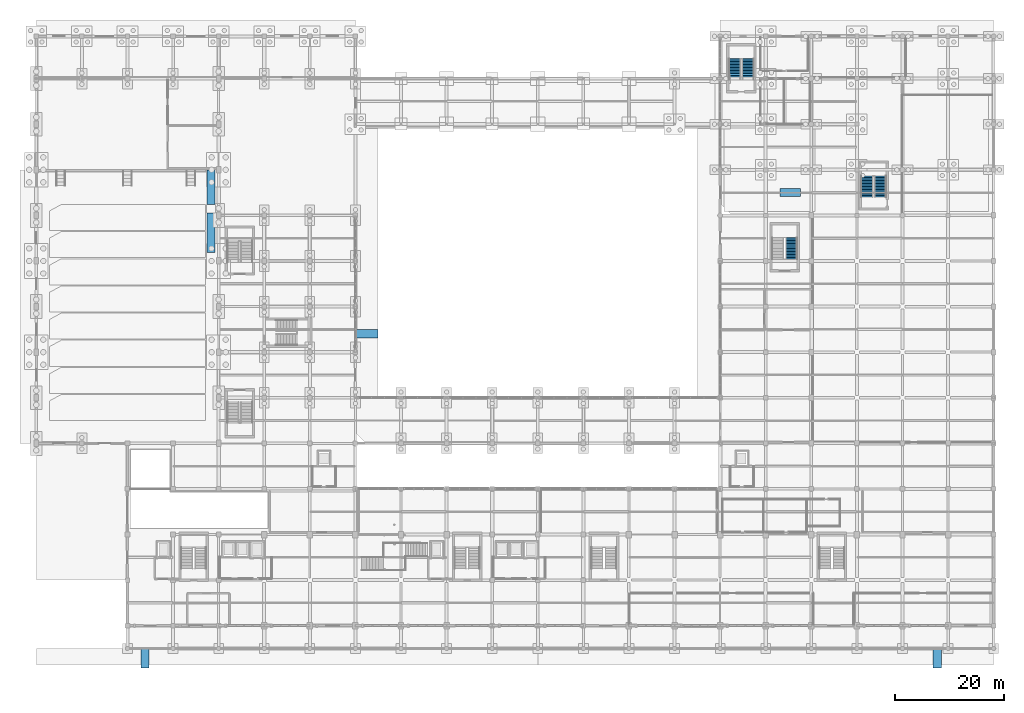
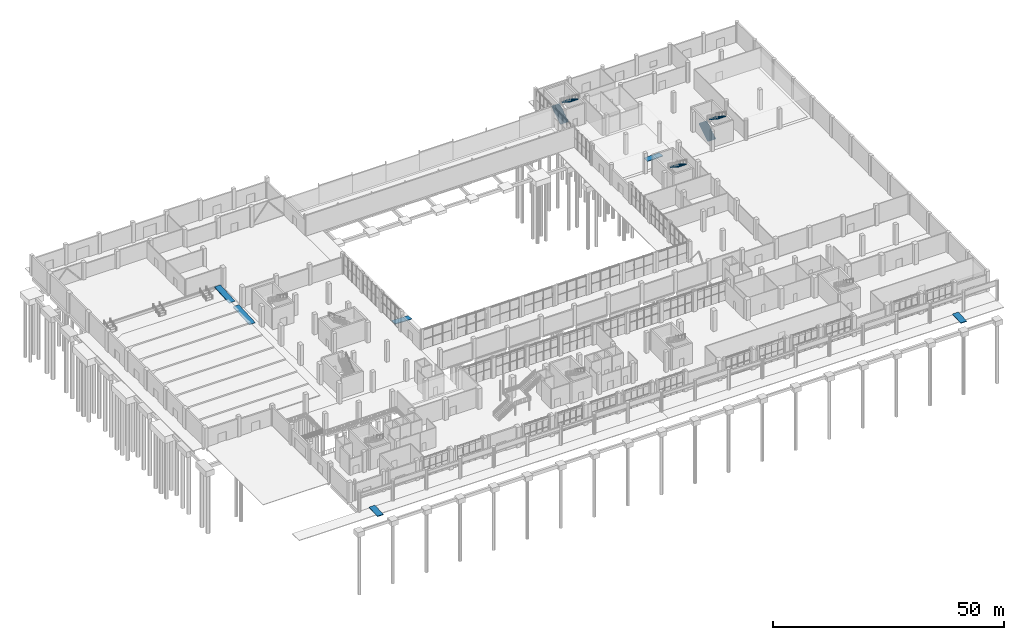
# One storey, part 75 of 82: 6 ramp flights, 5 stair flights, 8 elements without a shape of their own.
"""IFC4 building model written with IfcOpenShell, lengths in metres."""

from ifc_helpers import new_model, si_unit, derived_unit, direction, frame, origin, place, context, subcontext, project, spatial, polyline, outline, extrude, material, type_object, element, aggregate, save


model = new_model("IFC4")

# Units and contexts
model_context = context("Model", 3, precision=1e-05, world=origin(), true_north=direction((0.0, 1.0)))
body_context = subcontext(model_context, "Body", "Model", "MODEL_VIEW")
ifc_project = project(units=[si_unit("LENGTHUNIT", "METRE"), si_unit("AREAUNIT", "SQUARE_METRE"), si_unit("VOLUMEUNIT", "CUBIC_METRE"), si_unit("PLANEANGLEUNIT", "RADIAN"), si_unit("MASSUNIT", "GRAM", prefix="KILO"), derived_unit("THERMALTRANSMITTANCEUNIT", [(si_unit("POWERUNIT", "WATT"), 1), (si_unit("LENGTHUNIT", "METRE"), -2), (si_unit("THERMODYNAMICTEMPERATUREUNIT", "KELVIN"), -1)])], contexts=[model_context])

# Site, building, storey
site_placement = place(None, origin())
site = spatial("IfcSite", under=ifc_project, at=site_placement, CompositionType="ELEMENT")
building_placement = place(site_placement, origin())
building = spatial("IfcBuilding", under=site, at=building_placement, Name="Barrovel Congress Hotel", CompositionType="ELEMENT")
storey_placement = place(building_placement, origin())
storey = spatial("IfcBuildingStorey", under=building, at=storey_placement, Name="L00", CompositionType="ELEMENT", Elevation=0.0)

# Stair, stair flights
ifc_material_1 = material(Name="Concrete C40", Category="concrete")
stair_type = type_object("IfcStairType", Name="STR-2Q-540", PredefinedType="TWO_QUARTER_TURN_STAIR", material=ifc_material_1)
stair_1_placement = place(storey_placement, origin())
stair_1 = element("IfcStair", 1, at=stair_1_placement, inside=storey, type_object=stair_type, Name="Exit Stair XS-06 (L00)", PredefinedType="TWO_QUARTER_TURN_STAIR")
stair_flight_type = type_object("IfcStairFlightType", Name="SFL-200x270", PredefinedType="STRAIGHT", material=ifc_material_1)
stair_flight_1_placement = place(storey_placement, frame((153.06005859375, 83.179931640625, 0.0), z_axis=(0.0, 0.0, 1.0), x_axis=(0.0, 1.0, 0.0)))
stair_flight_1 = element("IfcStairFlight", 2, at=stair_flight_1_placement, type_object=stair_flight_type, Name="STAIR:XS-06:L00:F1", NumberOfRisers=15, NumberOfTreads=14, PredefinedType="STRAIGHT", RiserHeight=0.18, TreadLength=0.28, context=body_context, shape_type="SweptSolid", body=[
    extrude(outline(polyline([(0.0, 0.0), (0.0, 0.179931640625), (0.280029296875, 0.179931640625), (0.280029296875, 0.360107421875), (0.56005859375, 0.360107421875), (0.56005859375, 0.5400390625), (0.840087890625, 0.5400390625), (0.840087890625, 0.719970703125), (1.1201171875, 0.719970703125), (1.1201171875, 0.89990234375), (1.39990234375, 0.89990234375), (1.39990234375, 1.080078125), (1.679931640625, 1.080078125), (1.679931640625, 1.260009765625), (1.9599609375, 1.260009765625), (1.9599609375, 1.43994140625), (2.239990234375, 1.43994140625), (2.239990234375, 1.6201171875), (2.52001953125, 1.6201171875), (2.52001953125, 1.800048828125), (2.800048828125, 1.800048828125), (2.800048828125, 1.97998046875), (3.080078125, 1.97998046875), (3.080078125, 2.159912109375), (3.360107421875, 2.159912109375), (3.360107421875, 2.340087890625), (3.639892578125, 2.340087890625), (3.639892578125, 2.52001953125), (3.919921875, 2.52001953125), (3.919921875, 2.699951171875), (3.919921875, 2.30615234375), (0.332763671875, 0.0), (0.0, 0.0)])), frame((0.0, 1.0, 0.0), z_axis=(0.0, -1.0, 0.0), x_axis=(1.0, 0.0, 0.0)), (0.0, 0.0, 1.0), 2.0),
])
stair_flight_2_placement = place(storey_placement, frame((155.5400390625, 87.10009765625, 2.699951171875), z_axis=(0.0, 0.0, 1.0), x_axis=(0.0, -1.0, 0.0)))
stair_flight_2 = element("IfcStairFlight", 3, at=stair_flight_2_placement, type_object=stair_flight_type, Name="STAIR:XS-06:L00:F2", NumberOfRisers=15, NumberOfTreads=14, PredefinedType="STRAIGHT", RiserHeight=0.18, TreadLength=0.28, context=body_context, shape_type="SweptSolid", body=[
    extrude(outline(polyline([(0.0, 0.0), (0.0, 0.179931640625), (0.280029296875, 0.179931640625), (0.280029296875, 0.360107421875), (0.56005859375, 0.360107421875), (0.56005859375, 0.5400390625), (0.840087890625, 0.5400390625), (0.840087890625, 0.719970703125), (1.1201171875, 0.719970703125), (1.1201171875, 0.89990234375), (1.39990234375, 0.89990234375), (1.39990234375, 1.080078125), (1.679931640625, 1.080078125), (1.679931640625, 1.260009765625), (1.9599609375, 1.260009765625), (1.9599609375, 1.43994140625), (2.239990234375, 1.43994140625), (2.239990234375, 1.6201171875), (2.52001953125, 1.6201171875), (2.52001953125, 1.800048828125), (2.800048828125, 1.800048828125), (2.800048828125, 1.97998046875), (3.080078125, 1.97998046875), (3.080078125, 2.159912109375), (3.360107421875, 2.159912109375), (3.360107421875, 2.340087890625), (3.639892578125, 2.340087890625), (3.639892578125, 2.52001953125), (3.919921875, 2.52001953125), (3.919921875, 2.699951171875), (3.919921875, 2.30615234375), (0.332763671875, 0.0), (0.0, 0.0)])), frame((0.0, 1.0, 0.0), z_axis=(0.0, -1.0, 0.0), x_axis=(1.0, 0.0, 0.0)), (0.0, 0.0, 1.0), 2.0),
])
aggregate(stair_1, [stair_flight_1, stair_flight_2])

# Stair, stair flight
stair_2_placement = place(storey_placement, origin())
stair_2 = element("IfcStair", 4, at=stair_2_placement, inside=storey, type_object=stair_type, Name="Exit Stair XS-09 (L00)", PredefinedType="TWO_QUARTER_TURN_STAIR")
stair_flight_3_placement = place(storey_placement, frame((139.139892578125, 75.699951171875, 2.699951171875), z_axis=(0.0, 0.0, 1.0), x_axis=(0.0, -1.0, 0.0)))
stair_flight_3 = element("IfcStairFlight", 5, at=stair_flight_3_placement, type_object=stair_flight_type, Name="STAIR:XS-09:L00:F2", NumberOfRisers=15, NumberOfTreads=14, PredefinedType="STRAIGHT", RiserHeight=0.18, TreadLength=0.28, context=body_context, shape_type="SweptSolid", body=[
    extrude(outline(polyline([(0.0, 0.0), (0.0, 0.179931640625), (0.280029296875, 0.179931640625), (0.280029296875, 0.360107421875), (0.56005859375, 0.360107421875), (0.56005859375, 0.5400390625), (0.840087890625, 0.5400390625), (0.840087890625, 0.719970703125), (1.1201171875, 0.719970703125), (1.1201171875, 0.89990234375), (1.39990234375, 0.89990234375), (1.39990234375, 1.080078125), (1.679931640625, 1.080078125), (1.679931640625, 1.260009765625), (1.9599609375, 1.260009765625), (1.9599609375, 1.43994140625), (2.239990234375, 1.43994140625), (2.239990234375, 1.6201171875), (2.52001953125, 1.6201171875), (2.52001953125, 1.800048828125), (2.800048828125, 1.800048828125), (2.800048828125, 1.97998046875), (3.080078125, 1.97998046875), (3.080078125, 2.159912109375), (3.360107421875, 2.159912109375), (3.360107421875, 2.340087890625), (3.639892578125, 2.340087890625), (3.639892578125, 2.52001953125), (3.919921875, 2.52001953125), (3.919921875, 2.699951171875), (3.919921875, 2.30615234375), (0.332763671875, 0.0), (0.0, 0.0)])), frame((0.0, 1.0, 0.0), z_axis=(0.0, -1.0, 0.0), x_axis=(1.0, 0.0, 0.0)), (0.0, 0.0, 1.0), 2.0),
])
aggregate(stair_2, [stair_flight_3])

# Stair, stair flights
stair_3_placement = place(storey_placement, origin())
stair_3 = element("IfcStair", 6, at=stair_3_placement, inside=storey, type_object=stair_type, Name="Exit Stair XS-10 (L00)", PredefinedType="TWO_QUARTER_TURN_STAIR")
stair_flight_4_placement = place(storey_placement, frame((128.659912109375, 104.780029296875, 0.0), z_axis=(0.0, 0.0, 1.0), x_axis=(0.0, 1.0, 0.0)))
stair_flight_4 = element("IfcStairFlight", 7, at=stair_flight_4_placement, type_object=stair_flight_type, Name="STAIR:XS-10:L00:F1", NumberOfRisers=15, NumberOfTreads=14, PredefinedType="STRAIGHT", RiserHeight=0.18, TreadLength=0.28, context=body_context, shape_type="SweptSolid", body=[
    extrude(outline(polyline([(0.0, 0.0), (0.0, 0.179931640625), (0.280029296875, 0.179931640625), (0.280029296875, 0.360107421875), (0.56005859375, 0.360107421875), (0.56005859375, 0.5400390625), (0.840087890625, 0.5400390625), (0.840087890625, 0.719970703125), (1.1201171875, 0.719970703125), (1.1201171875, 0.89990234375), (1.39990234375, 0.89990234375), (1.39990234375, 1.080078125), (1.679931640625, 1.080078125), (1.679931640625, 1.260009765625), (1.9599609375, 1.260009765625), (1.9599609375, 1.43994140625), (2.239990234375, 1.43994140625), (2.239990234375, 1.6201171875), (2.52001953125, 1.6201171875), (2.52001953125, 1.800048828125), (2.800048828125, 1.800048828125), (2.800048828125, 1.97998046875), (3.080078125, 1.97998046875), (3.080078125, 2.159912109375), (3.360107421875, 2.159912109375), (3.360107421875, 2.340087890625), (3.639892578125, 2.340087890625), (3.639892578125, 2.52001953125), (3.919921875, 2.52001953125), (3.919921875, 2.699951171875), (3.919921875, 2.30615234375), (0.332763671875, 0.0), (0.0, 0.0)])), frame((0.0, 1.0, 0.0), z_axis=(0.0, -1.0, 0.0), x_axis=(1.0, 0.0, 0.0)), (0.0, 0.0, 1.0), 2.0),
])
stair_flight_5_placement = place(storey_placement, frame((131.139892578125, 108.699951171875, 2.699951171875), z_axis=(0.0, 0.0, 1.0), x_axis=(0.0, -1.0, 0.0)))
stair_flight_5 = element("IfcStairFlight", 8, at=stair_flight_5_placement, type_object=stair_flight_type, Name="STAIR:XS-10:L00:F2", NumberOfRisers=15, NumberOfTreads=14, PredefinedType="STRAIGHT", RiserHeight=0.18, TreadLength=0.28, context=body_context, shape_type="SweptSolid", body=[
    extrude(outline(polyline([(0.0, 0.0), (0.0, 0.179931640625), (0.280029296875, 0.179931640625), (0.280029296875, 0.360107421875), (0.56005859375, 0.360107421875), (0.56005859375, 0.5400390625), (0.840087890625, 0.5400390625), (0.840087890625, 0.719970703125), (1.1201171875, 0.719970703125), (1.1201171875, 0.89990234375), (1.39990234375, 0.89990234375), (1.39990234375, 1.080078125), (1.679931640625, 1.080078125), (1.679931640625, 1.260009765625), (1.9599609375, 1.260009765625), (1.9599609375, 1.43994140625), (2.239990234375, 1.43994140625), (2.239990234375, 1.6201171875), (2.52001953125, 1.6201171875), (2.52001953125, 1.800048828125), (2.800048828125, 1.800048828125), (2.800048828125, 1.97998046875), (3.080078125, 1.97998046875), (3.080078125, 2.159912109375), (3.360107421875, 2.159912109375), (3.360107421875, 2.340087890625), (3.639892578125, 2.340087890625), (3.639892578125, 2.52001953125), (3.919921875, 2.52001953125), (3.919921875, 2.699951171875), (3.919921875, 2.30615234375), (0.332763671875, 0.0), (0.0, 0.0)])), frame((0.0, 1.0, 0.0), z_axis=(0.0, -1.0, 0.0), x_axis=(1.0, 0.0, 0.0)), (0.0, 0.0, 1.0), 2.0),
])
aggregate(stair_3, [stair_flight_4, stair_flight_5])

# Ramp, ramp flights
ifc_material_2 = material(Name="Concrete C35", Category="concrete")
ramp_type = type_object("IfcRampType", Name="RAMP-ACC", PredefinedType="STRAIGHT_RUN_RAMP", material=ifc_material_2)
ramp_1_placement = place(storey_placement, origin())
ramp_1 = element("IfcRamp", 9, at=ramp_1_placement, inside=storey, type_object=ramp_type, Name="Congress Stage Accessible Ramp", PredefinedType="STRAIGHT_RUN_RAMP")
ramp_flight_type = type_object("IfcRampFlightType", Name="RFLIGHT-ACC", PredefinedType="STRAIGHT", material=ifc_material_2)
ramp_flight_1_placement = place(storey_placement, frame((32.199951171875, 73.0, -0.179931640625), z_axis=(0.0, 0.0, 1.0), x_axis=(0.0, 1.0, 0.0)))
ramp_flight_1 = element("IfcRampFlight", 10, at=ramp_flight_1_placement, type_object=ramp_flight_type, Name="Congress Stage Accessible Ramp flight 1", PredefinedType="STRAIGHT", context=body_context, shape_type="SweptSolid", body=[
    extrude(outline(polyline([(0.0, 0.0), (0.0, 0.179931640625), (7.199951171875, 0.579833984375), (7.199951171875, 0.39990234375), (0.0, 0.0)])), frame((0.0, 0.75, 0.0), z_axis=(0.0, -1.0, 0.0), x_axis=(1.0, 0.0, 0.0)), (0.0, 0.0, 1.0), 1.5),
])
ramp_flight_2_placement = place(storey_placement, frame((32.199951171875, 81.800048828125, 0.219970703125), z_axis=(0.0, 0.0, 1.0), x_axis=(0.0, 1.0, 0.0)))
ramp_flight_2 = element("IfcRampFlight", 11, at=ramp_flight_2_placement, type_object=ramp_flight_type, Name="Congress Stage Accessible Ramp flight 2", PredefinedType="STRAIGHT", context=body_context, shape_type="SweptSolid", body=[
    extrude(outline(polyline([(0.0, 0.0), (0.0, 0.179931640625), (6.39990234375, 0.579833984375), (6.39990234375, 0.39990234375), (0.0, 0.0)])), frame((0.0, 0.75, 0.0), z_axis=(0.0, -1.0, 0.0), x_axis=(1.0, 0.0, 0.0)), (0.0, 0.0, 1.0), 1.5),
])
aggregate(ramp_1, [ramp_flight_1, ramp_flight_2])

# Ramp, ramp flight
ramp_2_placement = place(storey_placement, origin())
ramp_2 = element("IfcRamp", 12, at=ramp_2_placement, inside=storey, type_object=ramp_type, Name="South Plaza Accessible Entrance Ramp", PredefinedType="STRAIGHT_RUN_RAMP")
ramp_flight_3_placement = place(storey_placement, frame((20.0, -3.60009765625, -0.14990234375), z_axis=(0.0, 0.0, 1.0), x_axis=(0.0, 1.0, 0.0)))
ramp_flight_3 = element("IfcRampFlight", 13, at=ramp_flight_3_placement, type_object=ramp_flight_type, Name="South Plaza Accessible Entrance Ramp flight 1", PredefinedType="STRAIGHT", context=body_context, shape_type="SweptSolid", body=[
    extrude(outline(polyline([(0.0, 0.0), (0.0, 0.179931640625), (3.699951171875, 0.329833984375), (3.699951171875, 0.14990234375), (0.0, 0.0)])), frame((0.0, 0.75, 0.0), z_axis=(0.0, -1.0, 0.0), x_axis=(1.0, 0.0, 0.0)), (0.0, 0.0, 1.0), 1.5),
])
aggregate(ramp_2, [ramp_flight_3])

ramp_3_placement = place(storey_placement, origin())
ramp_3 = element("IfcRamp", 14, at=ramp_3_placement, inside=storey, type_object=ramp_type, Name="East Arcade Accessible Entrance Ramp", PredefinedType="STRAIGHT_RUN_RAMP")
ramp_flight_4_placement = place(storey_placement, frame((166.0, -3.60009765625, -0.14990234375), z_axis=(0.0, 0.0, 1.0), x_axis=(0.0, 1.0, 0.0)))
ramp_flight_4 = element("IfcRampFlight", 15, at=ramp_flight_4_placement, type_object=ramp_flight_type, Name="East Arcade Accessible Entrance Ramp flight 1", PredefinedType="STRAIGHT", context=body_context, shape_type="SweptSolid", body=[
    extrude(outline(polyline([(0.0, 0.0), (0.0, 0.179931640625), (3.699951171875, 0.329833984375), (3.699951171875, 0.14990234375), (0.0, 0.0)])), frame((0.0, 0.75, 0.0), z_axis=(0.0, -1.0, 0.0), x_axis=(1.0, 0.0, 0.0)), (0.0, 0.0, 1.0), 1.5),
])
aggregate(ramp_3, [ramp_flight_4])

ramp_4_placement = place(storey_placement, origin())
ramp_4 = element("IfcRamp", 16, at=ramp_4_placement, inside=storey, type_object=ramp_type, Name="Cloister Court Accessible Ramp", PredefinedType="STRAIGHT_RUN_RAMP")
ramp_flight_5_placement = place(storey_placement, frame((63.0, 58.0, -0.14990234375), z_axis=(0.0, 0.0, 1.0), x_axis=(-1.0, 0.0, 0.0)))
ramp_flight_5 = element("IfcRampFlight", 17, at=ramp_flight_5_placement, type_object=ramp_flight_type, Name="Cloister Court Accessible Ramp flight 1", PredefinedType="STRAIGHT", context=body_context, shape_type="SweptSolid", body=[
    extrude(outline(polyline([(0.0, 0.0), (0.0, 0.179931640625), (4.199951171875, 0.329833984375), (4.199951171875, 0.14990234375), (0.0, 0.0)])), frame((0.0, 0.75, 0.0), z_axis=(0.0, -1.0, 0.0), x_axis=(1.0, 0.0, 0.0)), (0.0, 0.0, 1.0), 1.5),
])
aggregate(ramp_4, [ramp_flight_5])

ramp_5_placement = place(storey_placement, origin())
ramp_5 = element("IfcRamp", 18, at=ramp_5_placement, inside=storey, type_object=ramp_type, Name="Spa Pool Hall Accessible Ramp", PredefinedType="STRAIGHT_RUN_RAMP")
ramp_flight_6_placement = place(storey_placement, frame((137.0, 84.0, -0.14990234375), z_axis=(0.0, 0.0, 1.0), x_axis=(1.0, 0.0, 0.0)))
ramp_flight_6 = element("IfcRampFlight", 19, at=ramp_flight_6_placement, type_object=ramp_flight_type, Name="Spa Pool Hall Accessible Ramp flight 1", PredefinedType="STRAIGHT", context=body_context, shape_type="SweptSolid", body=[
    extrude(outline(polyline([(0.0, 0.0), (0.0, 0.179931640625), (3.800048828125, 0.329833984375), (3.800048828125, 0.14990234375), (0.0, 0.0)])), frame((0.0, 0.75, 0.0), z_axis=(0.0, -1.0, 0.0), x_axis=(1.0, 0.0, 0.0)), (0.0, 0.0, 1.0), 1.5),
])
aggregate(ramp_5, [ramp_flight_6])

save(model, "model.ifc")
